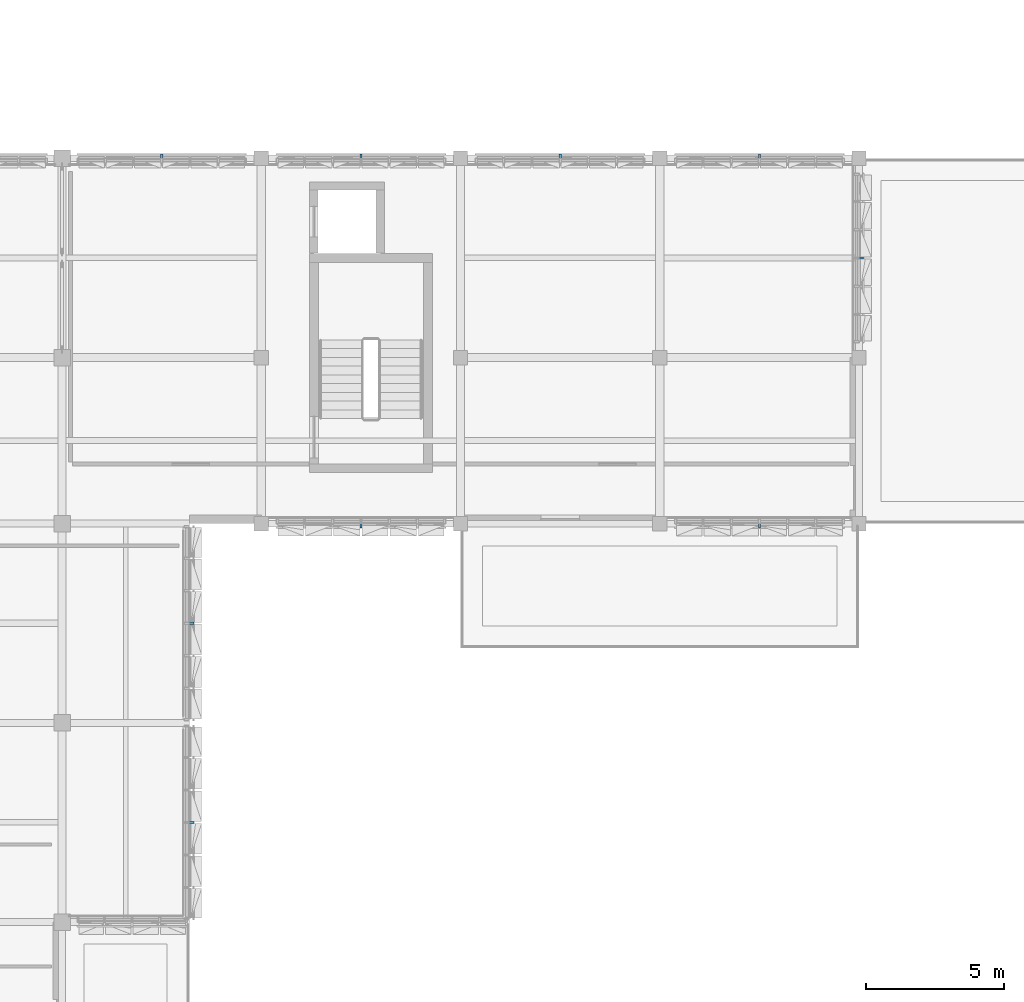
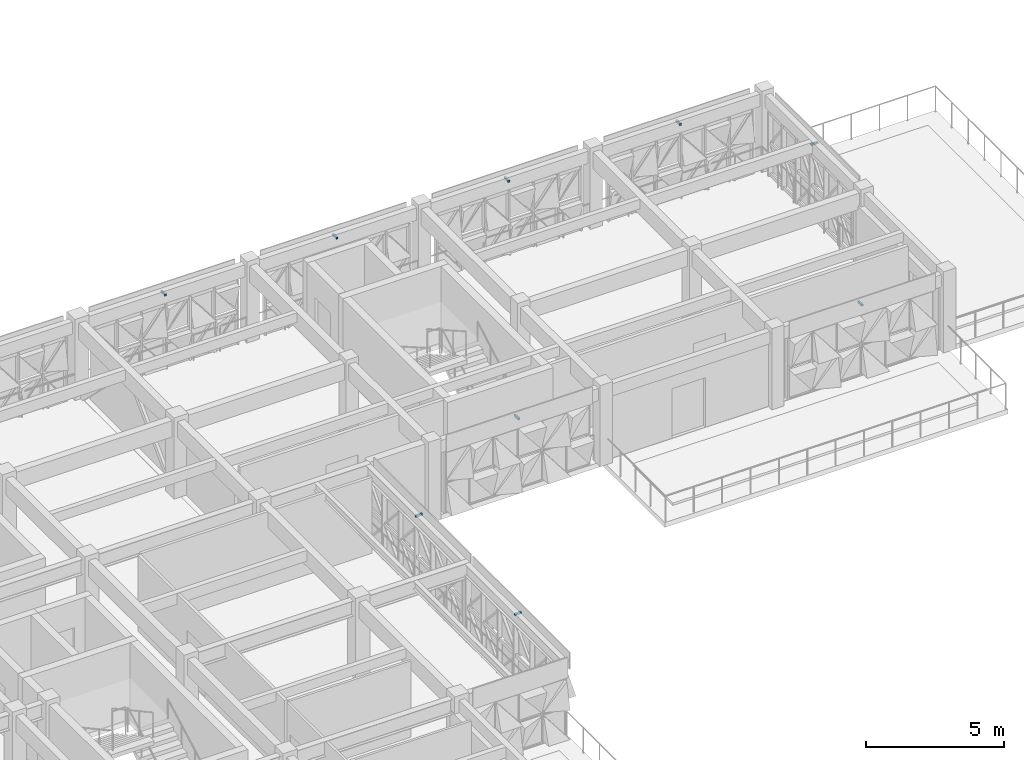
# One storey, part 53 of 74: 9 discrete accessories.
"""IFC4 building model written with IfcOpenShell, lengths in metres."""

from ifc_helpers import new_model, si_unit, direction, frame, origin, origin_2d, place, context, subcontext, project, spatial, rectangle, extrude, material, type_object, element, save


model = new_model("IFC4")

# Units and contexts
model_context = context("Model", 3, precision=1e-05, world=origin(), true_north=direction((0.0, 1.0)))
body_context = subcontext(model_context, "Body", "Model", "MODEL_VIEW")
ifc_project = project(units=[si_unit("LENGTHUNIT", "METRE"), si_unit("AREAUNIT", "SQUARE_METRE"), si_unit("VOLUMEUNIT", "CUBIC_METRE"), si_unit("PLANEANGLEUNIT", "RADIAN"), si_unit("MASSUNIT", "GRAM", prefix="KILO")], contexts=[model_context])

# Site, building, storey
site_placement = place(None, origin())
site = spatial("IfcSite", under=ifc_project, at=site_placement, CompositionType="ELEMENT")
building_placement = place(site_placement, origin())
building = spatial("IfcBuilding", under=site, at=building_placement, Name="Alvorim Cloister Faculty of Sciences", CompositionType="ELEMENT")
storey_placement = place(building_placement, frame((0.0, 0.0, 15.75)))
storey = spatial("IfcBuildingStorey", under=building, at=storey_placement, Name="L04", CompositionType="ELEMENT", Elevation=15.75)

# Discrete accessories
ifc_material = material(Name="Aluminium Alloy 6063-T6", Category="aluminium")
discrete_accessory_type = type_object("IfcDiscreteAccessoryType", Name="ACC-DIAG-BAR", PredefinedType="BRACKET", material=ifc_material)
for number, where, z_axis, x_axis, name in (
    (1, (32.39990234375, 56.260009765625, 3.22509765625), (0.0, 1.0, 0.0), (-1.0, 0.0, 0.0), "Slab-Edge Fascia Tie Bracket ACC-02076"),
    (2, (39.60009765625, 56.260009765625, 3.22509765625), (0.0, 1.0, 0.0), (-1.0, 0.0, 0.0), "Slab-Edge Fascia Tie Bracket ACC-02089"),
    (3, (46.800048828125, 56.260009765625, 3.22509765625), (0.0, 1.0, 0.0), (-1.0, 0.0, 0.0), "Slab-Edge Fascia Tie Bracket ACC-02102"),
    (4, (54.0, 56.260009765625, 3.22509765625), (0.0, 1.0, 0.0), (-1.0, 0.0, 0.0), "Slab-Edge Fascia Tie Bracket ACC-02115"),
    (5, (57.4599609375, 52.800048828125, 3.22509765625), (1.0, 0.0, 0.0), (0.0, 1.0, 0.0), "Slab-Edge Fascia Tie Bracket ACC-02128"),
    (6, (54.0, 43.340087890625, 3.22509765625), (0.0, -1.0, 0.0), (1.0, 0.0, 0.0), "Slab-Edge Fascia Tie Bracket ACC-02141"),
    (7, (39.60009765625, 43.340087890625, 3.22509765625), (0.0, -1.0, 0.0), (1.0, 0.0, 0.0), "Slab-Edge Fascia Tie Bracket ACC-02154"),
    (8, (33.260009765625, 39.60009765625, 3.228515625), (1.0, 0.0, 0.0), (0.0, 1.0, 0.0), "Slab-Edge Fascia Tie Bracket ACC-02167"),
    (9, (33.260009765625, 32.39990234375, 3.228515625), (1.0, 0.0, 0.0), (0.0, 1.0, 0.0), "Slab-Edge Fascia Tie Bracket ACC-02180"),
):
    element("IfcDiscreteAccessory", number, at=place(storey_placement, frame(where, z_axis=z_axis, x_axis=x_axis)), inside=storey, type_object=discrete_accessory_type, Name=name, PredefinedType="BRACKET", context=body_context, shape_type="SweptSolid", body=[
        extrude(rectangle(XDim=0.080078125, YDim=0.080078125, at=origin_2d()), origin(), (0.0, 0.0, 1.0), 0.300048828125),
    ])

save(model, "model.ifc")
